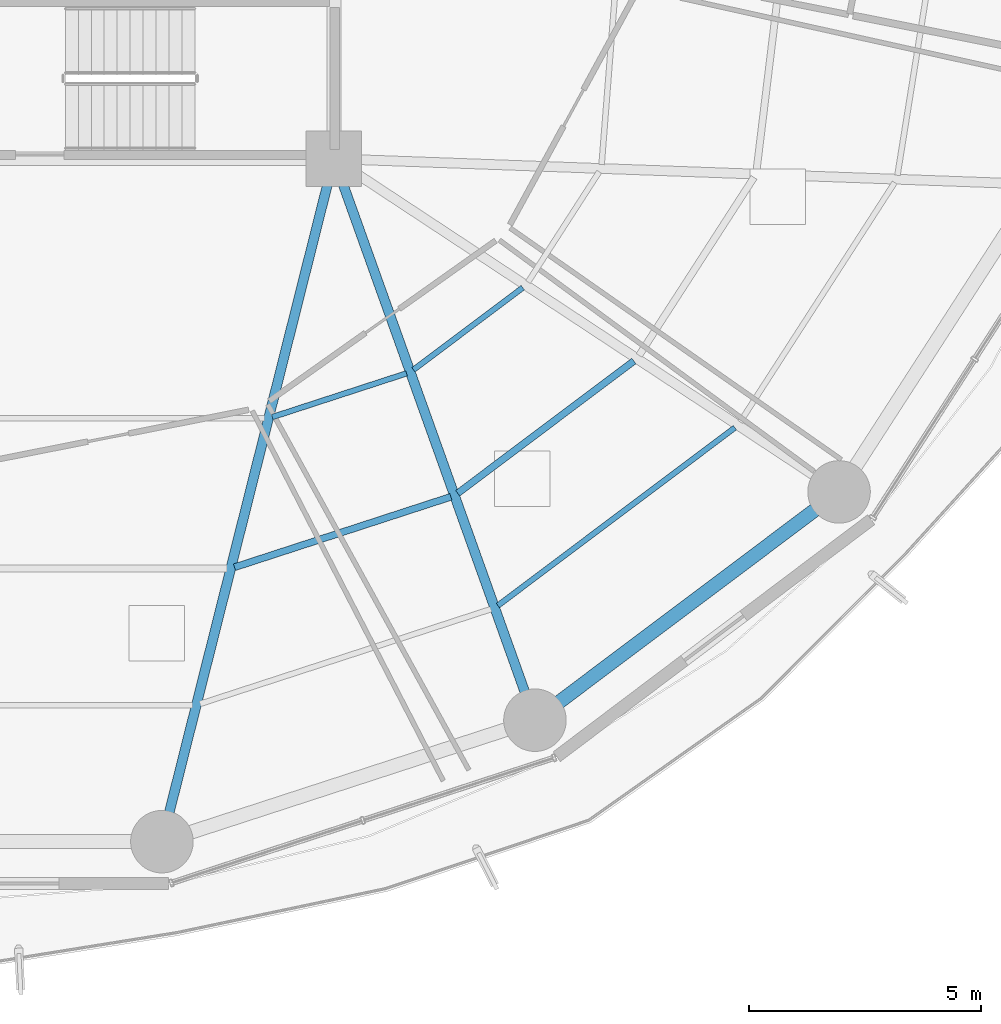
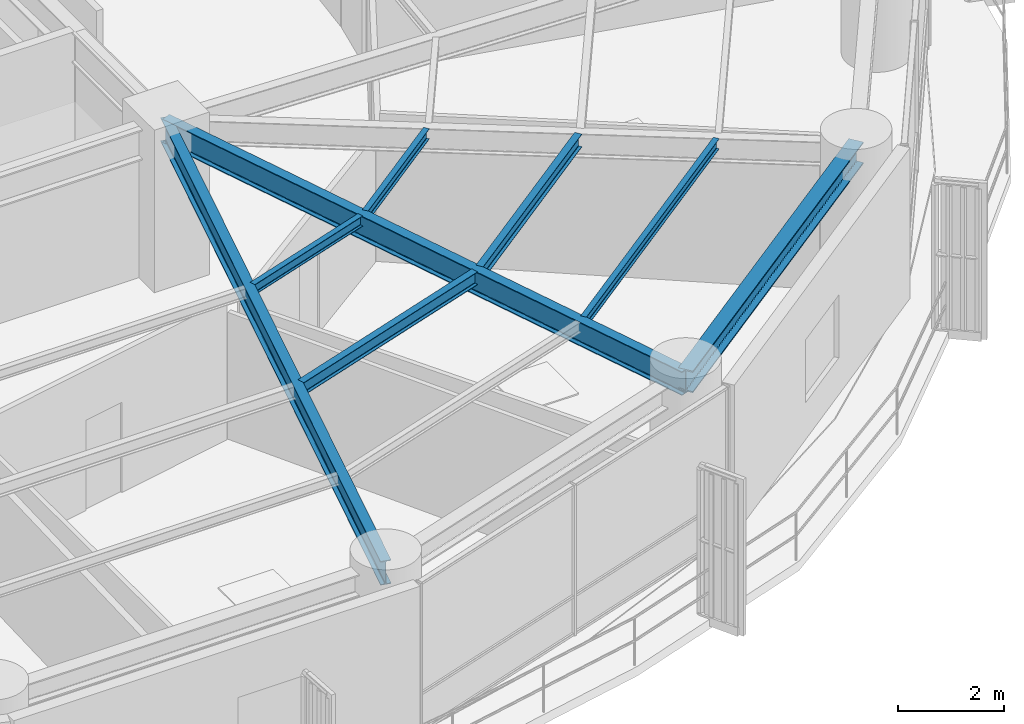
# One storey, part 11 of 35: 8 beams.
"""IFC4 building model written with IfcOpenShell, lengths in metres."""

from ifc_helpers import new_model, si_unit, direction, frame, origin, origin_2d, place, context, subcontext, project, spatial, i_section, extrude, material, material_profile, profile_set, type_object, element, save


model = new_model("IFC4")

# Units and contexts
model_context = context("Model", 3, precision=1e-05, world=origin(), true_north=direction((0.0, 1.0)))
body_context = subcontext(model_context, "Body", "Model", "MODEL_VIEW")
ifc_project = project(units=[si_unit("LENGTHUNIT", "METRE"), si_unit("AREAUNIT", "SQUARE_METRE"), si_unit("VOLUMEUNIT", "CUBIC_METRE"), si_unit("PLANEANGLEUNIT", "RADIAN"), si_unit("MASSUNIT", "GRAM", prefix="KILO")], contexts=[model_context])

# Site, building, storey
site_placement = place(None, origin())
site = spatial("IfcSite", under=ifc_project, at=site_placement, CompositionType="ELEMENT")
building_placement = place(site_placement, origin())
building = spatial("IfcBuilding", under=site, at=building_placement, Name="Kelanora Arch Commons", CompositionType="ELEMENT")
storey_placement = place(building_placement, frame((0.0, 0.0, 117.60009765625)))
storey = spatial("IfcBuildingStorey", under=building, at=storey_placement, Name="L30", CompositionType="ELEMENT", Elevation=117.60009765625)

# Beams
ifc_material = material(Name="Steel S355", Category="steel")
ifc_material_profile_1 = material_profile(ifc_material, i_section(OverallWidth=0.14990234375, OverallDepth=0.300048828125, WebThickness=0.007080078125, FlangeThickness=0.0107421875, FilletRadius=0.014892578125, at=origin_2d()), Name="IPE300")
ifc_profile_set_1 = profile_set([ifc_material_profile_1], Name="Steel S355")
beam_type_1 = type_object("IfcBeamType", Name="BM-JST-01", PredefinedType="JOIST", material=ifc_profile_set_1)
beam_1_placement = place(storey_placement, frame((79.852294921875, 42.1796875, 3.33984375), z_axis=(0.950857140254, 0.309629938521, 0.0), x_axis=(-0.309629938521, 0.950857140254, 0.0)))
element("IfcBeam", 1, at=beam_1_placement, inside=storey, type_object=beam_type_1, Name="Secondary Chord Joist BJB-28 L30", PredefinedType="JOIST", context=body_context, shape_type="SweptSolid", body=[
    extrude(i_section(OverallWidth=0.14990234375, OverallDepth=0.300048828125, WebThickness=0.007080078125, FlangeThickness=0.0107421875, FilletRadius=0.014892578125, at=origin_2d()), origin(), (0.0, 0.0, 1.0), 4.912353515625),
])
beam_2_placement = place(storey_placement, frame((84.672119140625, 43.77783203125, 3.33984375), z_axis=(0.79971039107, 0.600385951214, 0.0), x_axis=(-0.600385951214, 0.79971039107, 0.0)))
element("IfcBeam", 2, at=beam_2_placement, inside=storey, type_object=beam_type_1, Name="Secondary Chord Joist BJB-30 L30", PredefinedType="JOIST", context=body_context, shape_type="SweptSolid", body=[
    extrude(i_section(OverallWidth=0.14990234375, OverallDepth=0.300048828125, WebThickness=0.007080078125, FlangeThickness=0.0107421875, FilletRadius=0.014892578125, at=origin_2d()), origin(), (0.0, 0.0, 1.0), 4.756103515625),
])
ifc_material_profile_2 = material_profile(ifc_material, i_section(OverallWidth=0.1201171875, OverallDepth=0.239990234375, WebThickness=0.006103515625, FlangeThickness=0.009765625, FilletRadius=0.014892578125, at=origin_2d()), Name="IPE240")
ifc_profile_set_2 = profile_set([ifc_material_profile_2], Name="Steel S355")
beam_type_2 = type_object("IfcBeamType", Name="BM-JST-02", PredefinedType="JOIST", material=ifc_profile_set_2)
beam_3_placement = place(storey_placement, frame((80.66943359375, 45.42333984375, 3.369873046875), z_axis=(0.950846758946, 0.309661817151, 0.0), x_axis=(-0.309661817151, 0.950846758946, 0.0)))
element("IfcBeam", 3, at=beam_3_placement, inside=storey, type_object=beam_type_2, Name="Secondary Chord Joist BJA-28 L30", PredefinedType="JOIST", context=body_context, shape_type="SweptSolid", body=[
    extrude(i_section(OverallWidth=0.1201171875, OverallDepth=0.239990234375, WebThickness=0.006103515625, FlangeThickness=0.009765625, FilletRadius=0.014892578125, at=origin_2d()), origin(), (0.0, 0.0, 1.0), 3.048828125),
])
beam_4_placement = place(storey_placement, frame((83.71728515625, 46.444580078125, 3.369873046875), z_axis=(0.799692034361, 0.600410401458, 0.0), x_axis=(-0.600410401458, 0.799692034361, 0.0)))
element("IfcBeam", 4, at=beam_4_placement, inside=storey, type_object=beam_type_2, Name="Secondary Chord Joist BJA-30 L30", PredefinedType="JOIST", context=body_context, shape_type="SweptSolid", body=[
    extrude(i_section(OverallWidth=0.1201171875, OverallDepth=0.239990234375, WebThickness=0.006103515625, FlangeThickness=0.009765625, FilletRadius=0.014892578125, at=origin_2d()), origin(), (0.0, 0.0, 1.0), 2.949951171875),
])
beam_5_placement = place(storey_placement, frame((85.5400390625, 41.353515625, 3.369873046875), z_axis=(0.799734335646, 0.600354055861, 0.0), x_axis=(-0.600354055861, 0.799734335646, 0.0)))
element("IfcBeam", 5, at=beam_5_placement, inside=storey, type_object=beam_type_2, Name="Secondary Chord Joist BJC-30 L30", PredefinedType="JOIST", context=body_context, shape_type="SweptSolid", body=[
    extrude(i_section(OverallWidth=0.1201171875, OverallDepth=0.239990234375, WebThickness=0.006103515625, FlangeThickness=0.009765625, FilletRadius=0.014892578125, at=origin_2d()), origin(), (0.0, 0.0, 1.0), 6.39794921875),
])
ifc_material_profile_3 = material_profile(ifc_material, i_section(OverallWidth=0.2099609375, OverallDepth=0.550048828125, WebThickness=0.010986328125, FlangeThickness=0.01708984375, FilletRadius=0.02392578125, at=origin_2d()), Name="IPE550")
ifc_profile_set_3 = profile_set([ifc_material_profile_3], Name="Steel S355")
beam_type_3 = type_object("IfcBeamType", Name="BM-RAD-Z2", PredefinedType="BEAM", material=ifc_profile_set_3)
beam_6_placement = place(storey_placement, frame((82.0, 51.0, 3.21484375), z_axis=(-0.244280647475, -0.969704576286, 0.0), x_axis=(0.969704576286, -0.244280647475, 0.0)))
element("IfcBeam", 6, at=beam_6_placement, inside=storey, type_object=beam_type_3, Name="Radial Floor Girder BR-28 L30", PredefinedType="BEAM", context=body_context, shape_type="SweptSolid", body=[
    extrude(i_section(OverallWidth=0.2099609375, OverallDepth=0.550048828125, WebThickness=0.010986328125, FlangeThickness=0.01708984375, FilletRadius=0.02392578125, at=origin_2d()), origin(), (0.0, 0.0, 1.0), 15.205322265625),
])
beam_7_placement = place(storey_placement, frame((82.0, 51.0, 3.21484375), z_axis=(0.337084640008, -0.941474346687, 0.0), x_axis=(0.941474346687, 0.337084640008, 0.0)))
element("IfcBeam", 7, at=beam_7_placement, inside=storey, type_object=beam_type_3, Name="Radial Floor Girder BR-30 L30", PredefinedType="BEAM", context=body_context, shape_type="SweptSolid", body=[
    extrude(i_section(OverallWidth=0.2099609375, OverallDepth=0.550048828125, WebThickness=0.010986328125, FlangeThickness=0.01708984375, FilletRadius=0.02392578125, at=origin_2d()), origin(), (0.0, 0.0, 1.0), 12.875244140625),
])
ifc_material_profile_4 = material_profile(ifc_material, i_section(OverallWidth=0.300048828125, OverallDepth=0.5, WebThickness=0.014404296875, FlangeThickness=0.028076171875, FilletRadius=0.027099609375, at=origin_2d()), Name="HEB500")
ifc_profile_set_4 = profile_set([ifc_material_profile_4], Name="Steel S355")
beam_type_4 = type_object("IfcBeamType", Name="BM-SPN-Z2", PredefinedType="SPANDREL", material=ifc_profile_set_4)
beam_8_placement = place(storey_placement, frame((86.340087890625, 38.878173828125, 3.239990234375), z_axis=(0.799735861602, 0.600352023123, 0.0), x_axis=(-0.600352023123, 0.799735861602, 0.0)))
element("IfcBeam", 8, at=beam_8_placement, inside=storey, type_object=beam_type_4, Name="Perimeter Spandrel Beam BS-30 L30", PredefinedType="SPANDREL", context=body_context, shape_type="SweptSolid", body=[
    extrude(i_section(OverallWidth=0.300048828125, OverallDepth=0.5, WebThickness=0.014404296875, FlangeThickness=0.028076171875, FilletRadius=0.027099609375, at=origin_2d()), origin(), (0.0, 0.0, 1.0), 8.210205078125),
])

save(model, "model.ifc")
